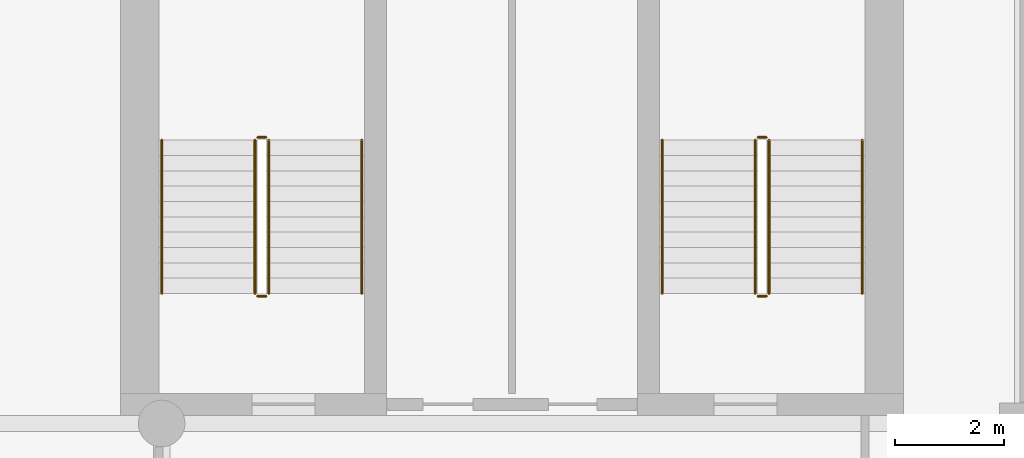
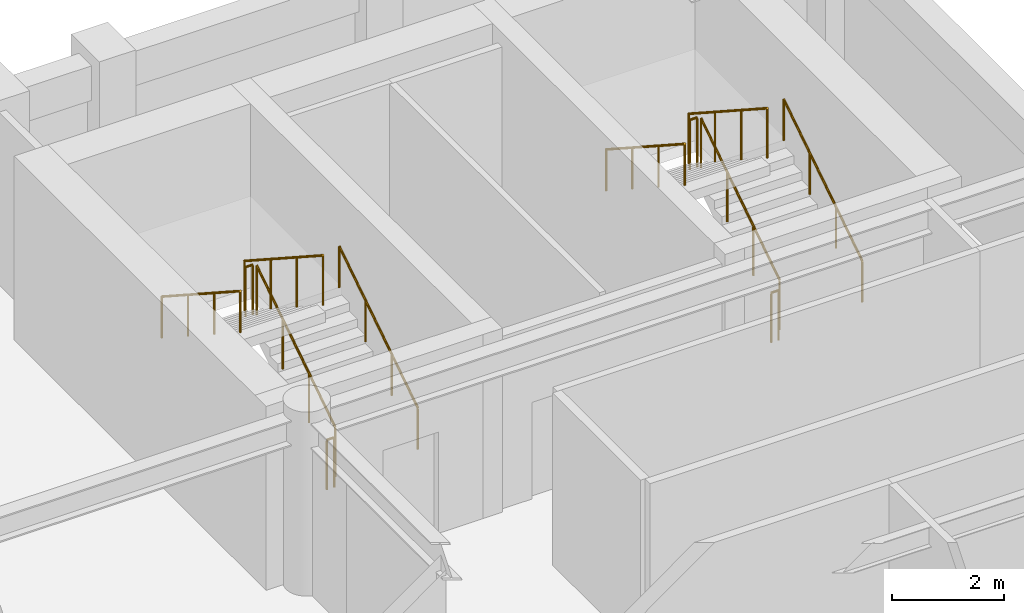
# One storey, part 8 of 8: 12 railings.
"""IFC4 building model written with IfcOpenShell, lengths in metres."""

from ifc_helpers import new_model, si_unit, direction, frame, origin, origin_2d, place, context, subcontext, project, spatial, circle, extrude, material, type_object, element, save


model = new_model("IFC4")

# Units and contexts
model_context = context("Model", 3, precision=1e-05, world=origin(), true_north=direction((0.0, 1.0)))
body_context = subcontext(model_context, "Body", "Model", "MODEL_VIEW")
ifc_project = project(units=[si_unit("LENGTHUNIT", "METRE"), si_unit("AREAUNIT", "SQUARE_METRE"), si_unit("VOLUMEUNIT", "CUBIC_METRE"), si_unit("PLANEANGLEUNIT", "RADIAN"), si_unit("MASSUNIT", "GRAM", prefix="KILO")], contexts=[model_context])

# Site, building, storey
site_placement = place(None, origin())
site = spatial("IfcSite", under=ifc_project, at=site_placement, CompositionType="ELEMENT")
building_placement = place(site_placement, origin())
building = spatial("IfcBuilding", under=site, at=building_placement, Name="Sulina Concourse Tower", CompositionType="ELEMENT")
storey_placement = place(building_placement, frame((0.0, 0.0, 264.60009765625)))
storey = spatial("IfcBuildingStorey", under=building, at=storey_placement, Name="L64", CompositionType="ELEMENT", Elevation=264.60009765625)

# Railings
ifc_material_1 = material(Name="Galvanised steel railing", Category="steel")
railing_type_1 = type_object("IfcRailingType", Name="Core Stair Steel Guardrail 1150mm", PredefinedType="GUARDRAIL", material=ifc_material_1)
railing_1_placement = place(storey_placement, frame((43.554931640625, 36.375, 0.181640625)))
element("IfcRailing", 1, at=railing_1_placement, inside=storey, type_object=railing_type_1, Name="L64 ST-3 stair guard 1", PredefinedType="GUARDRAIL", context=body_context, shape_type="SweptSolid", body=[
    extrude(circle(Radius=0.02392578125, at=origin_2d()), frame((0.0, 0.0, 1.076171875), z_axis=(0.0, 0.838672427954, 0.544636170843), x_axis=(-1.0, 0.0, 0.0)), (0.0, 0.0, 1.0), 3.338623046875),
    extrude(circle(Radius=0.02099609375, at=origin_2d()), origin(), (0.0, 0.0, 1.0), 1.052001953125),
    extrude(circle(Radius=0.02099609375, at=origin_2d()), frame((0.0, 0.933349609375, 0.606201171875)), (0.0, 0.0, 1.0), 1.052001953125),
    extrude(circle(Radius=0.02099609375, at=origin_2d()), frame((0.0, 1.86669921875, 1.212158203125)), (0.0, 0.0, 1.0), 1.052001953125),
    extrude(circle(Radius=0.02099609375, at=origin_2d()), frame((0.0, 2.800048828125, 1.818359375)), (0.0, 0.0, 1.0), 1.052001953125),
])
railing_2_placement = place(storey_placement, frame((43.5048828125, 39.22509765625, 2.0)))
element("IfcRailing", 2, at=railing_2_placement, inside=storey, type_object=railing_type_1, Name="L64 ST-3 stair guard 2", PredefinedType="GUARDRAIL", context=body_context, shape_type="SweptSolid", body=[
    extrude(circle(Radius=0.02392578125, at=origin_2d()), frame((0.0, 0.0, 1.076171875), z_axis=(-1.0, 0.0, 0.0), x_axis=(0.0, -1.0, 0.0)), (0.0, 0.0, 1.0), 0.14990234375),
    extrude(circle(Radius=0.02099609375, at=origin_2d()), origin(), (0.0, 0.0, 1.0), 1.052001953125),
    extrude(circle(Radius=0.02099609375, at=origin_2d()), frame((-0.14990234375, 0.0, 0.0)), (0.0, 0.0, 1.0), 1.052001953125),
])
railing_3_placement = place(storey_placement, frame((43.304931640625, 39.175048828125, 2.181640625)))
element("IfcRailing", 3, at=railing_3_placement, inside=storey, type_object=railing_type_1, Name="L64 ST-3 stair guard 3", PredefinedType="GUARDRAIL", context=body_context, shape_type="SweptSolid", body=[
    extrude(circle(Radius=0.02392578125, at=origin_2d()), frame((0.0, 0.0, 1.076171875), z_axis=(0.0, -0.838672427954, 0.544636170843), x_axis=(1.0, 0.0, 0.0)), (0.0, 0.0, 1.0), 3.338623046875),
    extrude(circle(Radius=0.02099609375, at=origin_2d()), origin(), (0.0, 0.0, 1.0), 1.052001953125),
    extrude(circle(Radius=0.02099609375, at=origin_2d()), frame((0.0, -0.933349609375, 0.606201171875)), (0.0, 0.0, 1.0), 1.052001953125),
    extrude(circle(Radius=0.02099609375, at=origin_2d()), frame((0.0, -1.86669921875, 1.212158203125)), (0.0, 0.0, 1.0), 1.052001953125),
    extrude(circle(Radius=0.02099609375, at=origin_2d()), frame((0.0, -2.800048828125, 1.818359375)), (0.0, 0.0, 1.0), 1.052001953125),
])
railing_4_placement = place(storey_placement, frame((43.5048828125, 36.324951171875, 0.0)))
element("IfcRailing", 4, at=railing_4_placement, inside=storey, type_object=railing_type_1, Name="L64 ST-3 stair guard 4", PredefinedType="GUARDRAIL", context=body_context, shape_type="SweptSolid", body=[
    extrude(circle(Radius=0.02392578125, at=origin_2d()), frame((0.0, 0.0, 1.076171875), z_axis=(-1.0, 0.0, 0.0), x_axis=(0.0, -1.0, 0.0)), (0.0, 0.0, 1.0), 0.14990234375),
    extrude(circle(Radius=0.02099609375, at=origin_2d()), origin(), (0.0, 0.0, 1.0), 1.052001953125),
    extrude(circle(Radius=0.02099609375, at=origin_2d()), frame((-0.14990234375, 0.0, 0.0)), (0.0, 0.0, 1.0), 1.052001953125),
])
railing_5_placement = place(storey_placement, frame((52.695068359375, 36.375, 0.181640625)))
element("IfcRailing", 5, at=railing_5_placement, inside=storey, type_object=railing_type_1, Name="L64 ST-4 stair guard 1", PredefinedType="GUARDRAIL", context=body_context, shape_type="SweptSolid", body=[
    extrude(circle(Radius=0.02392578125, at=origin_2d()), frame((0.0, 0.0, 1.076171875), z_axis=(0.0, 0.838672427954, 0.544636170843), x_axis=(-1.0, 0.0, 0.0)), (0.0, 0.0, 1.0), 3.338623046875),
    extrude(circle(Radius=0.02099609375, at=origin_2d()), origin(), (0.0, 0.0, 1.0), 1.052001953125),
    extrude(circle(Radius=0.02099609375, at=origin_2d()), frame((0.0, 0.933349609375, 0.606201171875)), (0.0, 0.0, 1.0), 1.052001953125),
    extrude(circle(Radius=0.02099609375, at=origin_2d()), frame((0.0, 1.86669921875, 1.212158203125)), (0.0, 0.0, 1.0), 1.052001953125),
    extrude(circle(Radius=0.02099609375, at=origin_2d()), frame((0.0, 2.800048828125, 1.818359375)), (0.0, 0.0, 1.0), 1.052001953125),
])
railing_6_placement = place(storey_placement, frame((52.64501953125, 39.22509765625, 2.0)))
element("IfcRailing", 6, at=railing_6_placement, inside=storey, type_object=railing_type_1, Name="L64 ST-4 stair guard 2", PredefinedType="GUARDRAIL", context=body_context, shape_type="SweptSolid", body=[
    extrude(circle(Radius=0.02392578125, at=origin_2d()), frame((0.0, 0.0, 1.076171875), z_axis=(-1.0, 0.0, 0.0), x_axis=(0.0, -1.0, 0.0)), (0.0, 0.0, 1.0), 0.14990234375),
    extrude(circle(Radius=0.02099609375, at=origin_2d()), origin(), (0.0, 0.0, 1.0), 1.052001953125),
    extrude(circle(Radius=0.02099609375, at=origin_2d()), frame((-0.14990234375, 0.0, 0.0)), (0.0, 0.0, 1.0), 1.052001953125),
])
railing_7_placement = place(storey_placement, frame((52.445068359375, 39.175048828125, 2.181640625)))
element("IfcRailing", 7, at=railing_7_placement, inside=storey, type_object=railing_type_1, Name="L64 ST-4 stair guard 3", PredefinedType="GUARDRAIL", context=body_context, shape_type="SweptSolid", body=[
    extrude(circle(Radius=0.02392578125, at=origin_2d()), frame((0.0, 0.0, 1.076171875), z_axis=(0.0, -0.838672427954, 0.544636170843), x_axis=(1.0, 0.0, 0.0)), (0.0, 0.0, 1.0), 3.338623046875),
    extrude(circle(Radius=0.02099609375, at=origin_2d()), origin(), (0.0, 0.0, 1.0), 1.052001953125),
    extrude(circle(Radius=0.02099609375, at=origin_2d()), frame((0.0, -0.933349609375, 0.606201171875)), (0.0, 0.0, 1.0), 1.052001953125),
    extrude(circle(Radius=0.02099609375, at=origin_2d()), frame((0.0, -1.86669921875, 1.212158203125)), (0.0, 0.0, 1.0), 1.052001953125),
    extrude(circle(Radius=0.02099609375, at=origin_2d()), frame((0.0, -2.800048828125, 1.818359375)), (0.0, 0.0, 1.0), 1.052001953125),
])
railing_8_placement = place(storey_placement, frame((52.64501953125, 36.324951171875, 0.0)))
element("IfcRailing", 8, at=railing_8_placement, inside=storey, type_object=railing_type_1, Name="L64 ST-4 stair guard 4", PredefinedType="GUARDRAIL", context=body_context, shape_type="SweptSolid", body=[
    extrude(circle(Radius=0.02392578125, at=origin_2d()), frame((0.0, 0.0, 1.076171875), z_axis=(-1.0, 0.0, 0.0), x_axis=(0.0, -1.0, 0.0)), (0.0, 0.0, 1.0), 0.14990234375),
    extrude(circle(Radius=0.02099609375, at=origin_2d()), origin(), (0.0, 0.0, 1.0), 1.052001953125),
    extrude(circle(Radius=0.02099609375, at=origin_2d()), frame((-0.14990234375, 0.0, 0.0)), (0.0, 0.0, 1.0), 1.052001953125),
])
ifc_material_2 = material(Name="Galvanised steel railing", Category="steel")
railing_type_2 = type_object("IfcRailingType", Name="Stair Wall Steel Handrail 920mm", PredefinedType="HANDRAIL", material=ifc_material_2)
railing_9_placement = place(storey_placement, frame((45.2548828125, 36.375, 0.181640625)))
element("IfcRailing", 9, at=railing_9_placement, inside=storey, type_object=railing_type_2, Name="L64 ST-3 stair handrail 1", PredefinedType="HANDRAIL", context=body_context, shape_type="SweptSolid", body=[
    extrude(circle(Radius=0.02392578125, at=origin_2d()), frame((0.0, 0.0, 0.89599609375), z_axis=(0.0, 0.838672427954, 0.544636170843), x_axis=(-1.0, 0.0, 0.0)), (0.0, 0.0, 1.0), 3.338623046875),
    extrude(circle(Radius=0.02099609375, at=origin_2d()), origin(), (0.0, 0.0, 1.0), 0.871826171875),
    extrude(circle(Radius=0.02099609375, at=origin_2d()), frame((0.0, 0.933349609375, 0.606201171875)), (0.0, 0.0, 1.0), 0.871826171875),
    extrude(circle(Radius=0.02099609375, at=origin_2d()), frame((0.0, 1.86669921875, 1.212158203125)), (0.0, 0.0, 1.0), 0.871826171875),
    extrude(circle(Radius=0.02099609375, at=origin_2d()), frame((0.0, 2.800048828125, 1.818359375)), (0.0, 0.0, 1.0), 0.871826171875),
])
railing_10_placement = place(storey_placement, frame((41.60498046875, 39.175048828125, 2.181640625)))
element("IfcRailing", 10, at=railing_10_placement, inside=storey, type_object=railing_type_2, Name="L64 ST-3 stair handrail 2", PredefinedType="HANDRAIL", context=body_context, shape_type="SweptSolid", body=[
    extrude(circle(Radius=0.02392578125, at=origin_2d()), frame((0.0, 0.0, 0.89599609375), z_axis=(0.0, -0.838672427954, 0.544636170843), x_axis=(1.0, 0.0, 0.0)), (0.0, 0.0, 1.0), 3.338623046875),
    extrude(circle(Radius=0.02099609375, at=origin_2d()), origin(), (0.0, 0.0, 1.0), 0.871826171875),
    extrude(circle(Radius=0.02099609375, at=origin_2d()), frame((0.0, -0.933349609375, 0.606201171875)), (0.0, 0.0, 1.0), 0.871826171875),
    extrude(circle(Radius=0.02099609375, at=origin_2d()), frame((0.0, -1.86669921875, 1.212158203125)), (0.0, 0.0, 1.0), 0.871826171875),
    extrude(circle(Radius=0.02099609375, at=origin_2d()), frame((0.0, -2.800048828125, 1.818359375)), (0.0, 0.0, 1.0), 0.871826171875),
])
railing_11_placement = place(storey_placement, frame((54.39501953125, 36.375, 0.181640625)))
element("IfcRailing", 11, at=railing_11_placement, inside=storey, type_object=railing_type_2, Name="L64 ST-4 stair handrail 1", PredefinedType="HANDRAIL", context=body_context, shape_type="SweptSolid", body=[
    extrude(circle(Radius=0.02392578125, at=origin_2d()), frame((0.0, 0.0, 0.89599609375), z_axis=(0.0, 0.838672427954, 0.544636170843), x_axis=(-1.0, 0.0, 0.0)), (0.0, 0.0, 1.0), 3.338623046875),
    extrude(circle(Radius=0.02099609375, at=origin_2d()), origin(), (0.0, 0.0, 1.0), 0.871826171875),
    extrude(circle(Radius=0.02099609375, at=origin_2d()), frame((0.0, 0.933349609375, 0.606201171875)), (0.0, 0.0, 1.0), 0.871826171875),
    extrude(circle(Radius=0.02099609375, at=origin_2d()), frame((0.0, 1.86669921875, 1.212158203125)), (0.0, 0.0, 1.0), 0.871826171875),
    extrude(circle(Radius=0.02099609375, at=origin_2d()), frame((0.0, 2.800048828125, 1.818359375)), (0.0, 0.0, 1.0), 0.871826171875),
])
railing_12_placement = place(storey_placement, frame((50.7451171875, 39.175048828125, 2.181640625)))
element("IfcRailing", 12, at=railing_12_placement, inside=storey, type_object=railing_type_2, Name="L64 ST-4 stair handrail 2", PredefinedType="HANDRAIL", context=body_context, shape_type="SweptSolid", body=[
    extrude(circle(Radius=0.02392578125, at=origin_2d()), frame((0.0, 0.0, 0.89599609375), z_axis=(0.0, -0.838672427954, 0.544636170843), x_axis=(1.0, 0.0, 0.0)), (0.0, 0.0, 1.0), 3.338623046875),
    extrude(circle(Radius=0.02099609375, at=origin_2d()), origin(), (0.0, 0.0, 1.0), 0.871826171875),
    extrude(circle(Radius=0.02099609375, at=origin_2d()), frame((0.0, -0.933349609375, 0.606201171875)), (0.0, 0.0, 1.0), 0.871826171875),
    extrude(circle(Radius=0.02099609375, at=origin_2d()), frame((0.0, -1.86669921875, 1.212158203125)), (0.0, 0.0, 1.0), 0.871826171875),
    extrude(circle(Radius=0.02099609375, at=origin_2d()), frame((0.0, -2.800048828125, 1.818359375)), (0.0, 0.0, 1.0), 0.871826171875),
])

save(model, "model.ifc")
